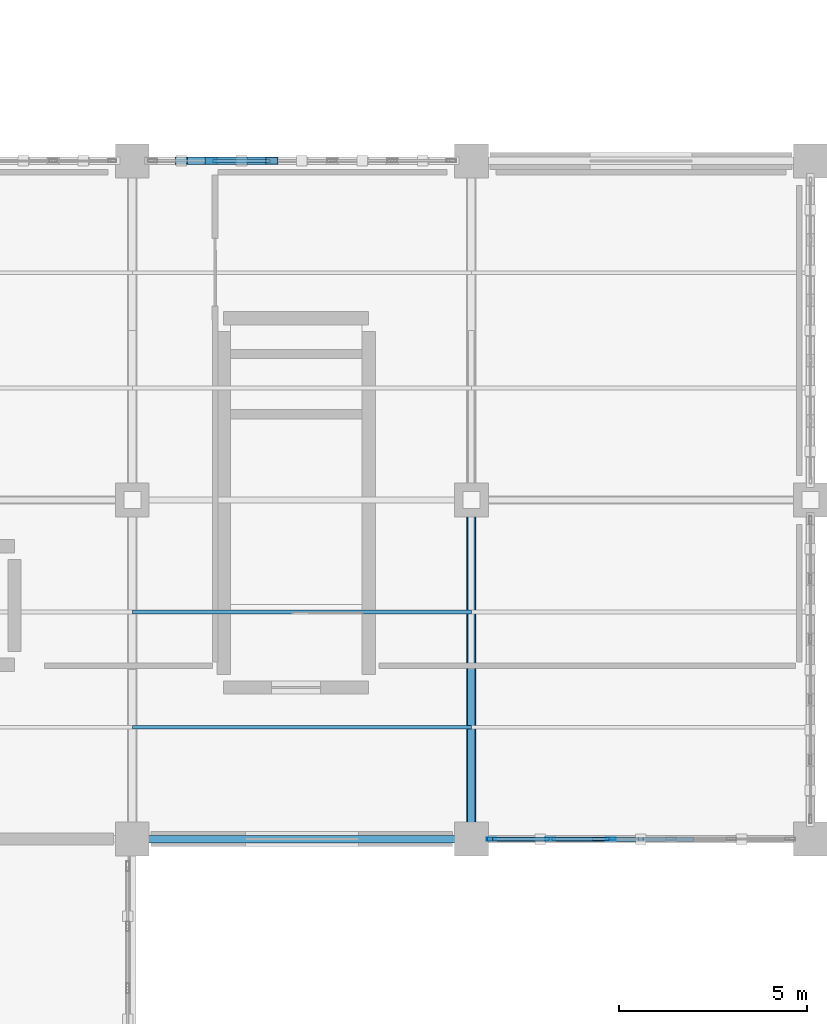
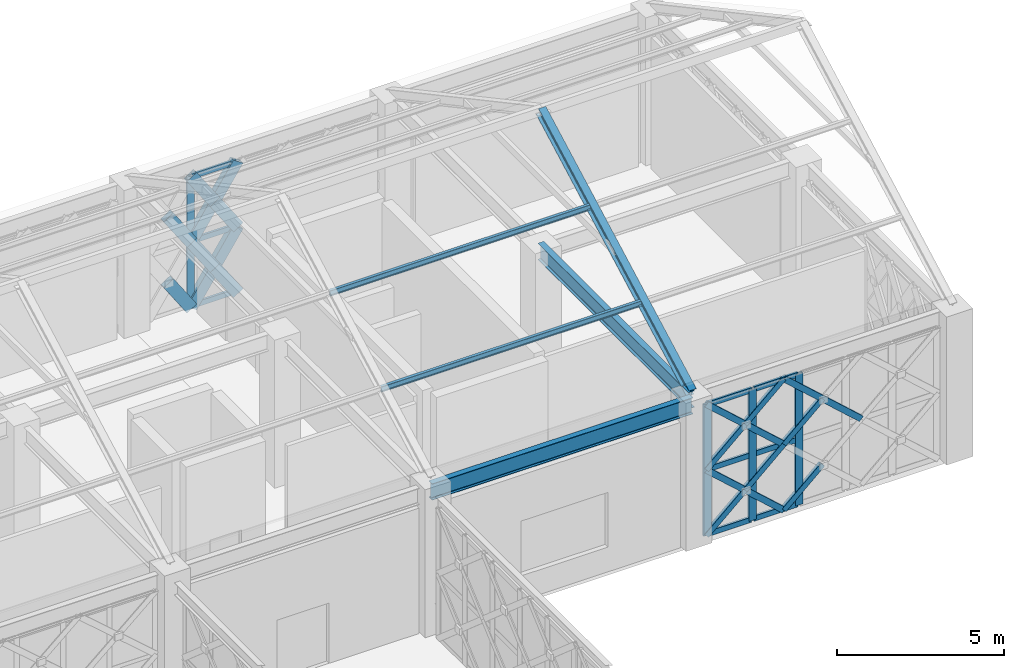
# One storey, part 62 of 166: 33 members, 2 beams, 2 elements without a shape of their own.
"""IFC4 building model written with IfcOpenShell, lengths in metres."""

from ifc_helpers import new_model, si_unit, direction, frame, origin, origin_2d, place, context, subcontext, project, spatial, hollow_rectangle, i_section, extrude, material, material_profile, profile_set, type_object, element, aggregate, save


model = new_model("IFC4")

# Units and contexts
model_context = context("Model", 3, precision=1e-05, world=origin(), true_north=direction((0.0, 1.0)))
body_context = subcontext(model_context, "Body", "Model", "MODEL_VIEW")
ifc_project = project(units=[si_unit("LENGTHUNIT", "METRE"), si_unit("AREAUNIT", "SQUARE_METRE"), si_unit("VOLUMEUNIT", "CUBIC_METRE"), si_unit("PLANEANGLEUNIT", "RADIAN"), si_unit("MASSUNIT", "GRAM", prefix="KILO")], contexts=[model_context])

# Site, building, storey
site_placement = place(None, origin())
site = spatial("IfcSite", under=ifc_project, at=site_placement, CompositionType="ELEMENT")
building_placement = place(site_placement, origin())
building = spatial("IfcBuilding", under=site, at=building_placement, Name="Haizhuo Lancet Aquarium", CompositionType="ELEMENT")
storey_placement = place(building_placement, frame((0.0, 0.0, 5.39990234375)))
storey = spatial("IfcBuildingStorey", under=building, at=storey_placement, Name="L01", CompositionType="ELEMENT", Elevation=5.39990234375)

# Beams
ifc_material_1 = material(Name="Steel S355", Category="steel")
ifc_material_profile_1 = material_profile(ifc_material_1, i_section(OverallWidth=0.199951171875, OverallDepth=0.60009765625, WebThickness=0.010986328125, FlangeThickness=0.01708984375, FilletRadius=0.02197265625, at=origin_2d()), Name="HN 600x200x11x17")
ifc_profile_set_1 = profile_set([ifc_material_profile_1], Name="Steel S355")
beam_type = type_object("IfcBeamType", Name="BM-ST-HN600", PredefinedType="BEAM", material=ifc_profile_set_1)
for number, where, z_axis, x_axis, name in (
    (1, (-54.0, 9.0, 4.9501953125), (1.0, 0.0, 0.0), (0.0, 1.0, 0.0), "L01 V2 primary girder BM-L01-V2-015"),
    (2, (-45.0, 9.0, 5.10009765625), (0.0, 1.0, 0.0), (-1.0, 0.0, 0.0), "L01 V2 primary girder BM-L01-V2-018"),
):
    element("IfcBeam", number, at=place(storey_placement, frame(where, z_axis=z_axis, x_axis=x_axis)), inside=storey, type_object=beam_type, Name=name, PredefinedType="BEAM", context=body_context, shape_type="SweptSolid", body=[
        extrude(i_section(OverallWidth=0.199951171875, OverallDepth=0.60009765625, WebThickness=0.010986328125, FlangeThickness=0.01708984375, FilletRadius=0.02197265625, at=origin_2d()), origin(), (0.0, 0.0, 1.0), 9.0),
    ])

# Curtain wall, member
ifc_material_2 = material(Name="Aluminium 6063-T6", Category="aluminium")
curtain_wall_type_1 = type_object("IfcCurtainWallType", Name="CWD-8010x4800", PredefinedType="NOTDEFINED", material=ifc_material_2)
curtain_wall_1_placement = place(storey_placement, origin())
curtain_wall_1 = element("IfcCurtainWall", 3, at=curtain_wall_1_placement, inside=storey, type_object=curtain_wall_type_1, Name="L01 curtain wall CW-V2-L01-024", PredefinedType="NOTDEFINED")
ifc_material_profile_2 = material_profile(ifc_material_2, hollow_rectangle(XDim=0.080078125, YDim=0.260009765625, WallThickness=0.0048828125, at=origin_2d()), Name="ALU-M 80x260x5")
ifc_profile_set_2 = profile_set([ifc_material_profile_2], Name="Aluminium 6063-T6")
member_type_1 = type_object("IfcMemberType", Name="CW-MUL-3", PredefinedType="MULLION", material=ifc_profile_set_2)
member_1_placement = place(storey_placement, frame((-51.903076171875, 27.0, 0.0), z_axis=(0.0, 0.0, 1.0), x_axis=(0.0, 1.0, 0.0)))
member_1 = element("IfcMember", 4, at=member_1_placement, type_object=member_type_1, Name="CWD-80x48 mullion 2", PredefinedType="MULLION", context=body_context, shape_type="SweptSolid", body=[
    extrude(hollow_rectangle(XDim=0.080078125, YDim=0.260009765625, WallThickness=0.0048828125, at=origin_2d()), origin(), (0.0, 0.0, 1.0), 4.800048828125),
])

# Curtain wall, members
curtain_wall_type_2 = type_object("IfcCurtainWallType", Name="CWO-8010x4800", PredefinedType="NOTDEFINED", material=ifc_material_2)
curtain_wall_2_placement = place(storey_placement, origin())
curtain_wall_2 = element("IfcCurtainWall", 5, at=curtain_wall_2_placement, inside=storey, type_object=curtain_wall_type_2, Name="L01 curtain wall CW-V2-L01-027", PredefinedType="NOTDEFINED")
member_2_placement = place(storey_placement, frame((-41.301025390625, 9.0, 0.0), z_axis=(0.0, 0.0, 1.0), x_axis=(0.0, -1.0, 0.0)))
member_2 = element("IfcMember", 6, at=member_2_placement, type_object=member_type_1, Name="CWO-80x48 mullion 4", PredefinedType="MULLION", context=body_context, shape_type="SweptSolid", body=[
    extrude(hollow_rectangle(XDim=0.080078125, YDim=0.260009765625, WallThickness=0.0048828125, at=origin_2d()), origin(), (0.0, 0.0, 1.0), 4.800048828125),
])
member_3_placement = place(storey_placement, frame((-42.903076171875, 9.0, 0.0), z_axis=(0.0, 0.0, 1.0), x_axis=(0.0, -1.0, 0.0)))
member_3 = element("IfcMember", 7, at=member_3_placement, type_object=member_type_1, Name="CWO-80x48 mullion 5", PredefinedType="MULLION", context=body_context, shape_type="SweptSolid", body=[
    extrude(hollow_rectangle(XDim=0.080078125, YDim=0.260009765625, WallThickness=0.0048828125, at=origin_2d()), origin(), (0.0, 0.0, 1.0), 4.800048828125),
])
member_4_placement = place(storey_placement, frame((-44.465087890625, 9.0, 0.0), z_axis=(0.0, 0.0, 1.0), x_axis=(0.0, -1.0, 0.0)))
member_4 = element("IfcMember", 8, at=member_4_placement, type_object=member_type_1, Name="CWO-80x48 mullion 6", PredefinedType="MULLION", context=body_context, shape_type="SweptSolid", body=[
    extrude(hollow_rectangle(XDim=0.080078125, YDim=0.260009765625, WallThickness=0.0048828125, at=origin_2d()), origin(), (0.0, 0.0, 1.0), 4.800048828125),
])

# Member
ifc_material_profile_3 = material_profile(ifc_material_2, hollow_rectangle(XDim=0.080078125, YDim=0.18994140625, WallThickness=0.0048828125, at=origin_2d()), Name="ALU-T 80x190x5")
ifc_profile_set_3 = profile_set([ifc_material_profile_3], Name="Aluminium 6063-T6")
member_type_2 = type_object("IfcMemberType", Name="CW-TRN-3", PredefinedType="NOTDEFINED", material=ifc_profile_set_3)
member_5_placement = place(storey_placement, frame((-51.863037109375, 27.0, 0.0400390625), z_axis=(1.0, 0.0, 0.0), x_axis=(0.0, 1.0, 0.0)))
member_5 = element("IfcMember", 9, at=member_5_placement, type_object=member_type_2, Name="CWD-80x48 transom 2.1", ObjectType="TRANSOM", PredefinedType="USERDEFINED", context=body_context, shape_type="SweptSolid", body=[
    extrude(hollow_rectangle(XDim=0.080078125, YDim=0.18994140625, WallThickness=0.0048828125, at=origin_2d()), origin(), (0.0, 0.0, 1.0), 1.52197265625),
])

member_6_placement = place(storey_placement, frame((-51.863037109375, 27.0, 2.400146484375), z_axis=(1.0, 0.0, 0.0), x_axis=(0.0, 1.0, 0.0)))
member_6 = element("IfcMember", 10, at=member_6_placement, type_object=member_type_2, Name="CWD-80x48 transom 2.2", ObjectType="TRANSOM", PredefinedType="USERDEFINED", context=body_context, shape_type="SweptSolid", body=[
    extrude(hollow_rectangle(XDim=0.080078125, YDim=0.18994140625, WallThickness=0.0048828125, at=origin_2d()), origin(), (0.0, 0.0, 1.0), 1.52197265625),
])

member_7_placement = place(storey_placement, frame((-51.863037109375, 27.0, 4.760009765625), z_axis=(1.0, 0.0, 0.0), x_axis=(0.0, 1.0, 0.0)))
member_7 = element("IfcMember", 11, at=member_7_placement, type_object=member_type_2, Name="CWD-80x48 transom 2.3", ObjectType="TRANSOM", PredefinedType="USERDEFINED", context=body_context, shape_type="SweptSolid", body=[
    extrude(hollow_rectangle(XDim=0.080078125, YDim=0.18994140625, WallThickness=0.0048828125, at=origin_2d()), origin(), (0.0, 0.0, 1.0), 1.52197265625),
])

aggregate(curtain_wall_1, [member_1, member_5, member_6, member_7])

member_8_placement = place(storey_placement, frame((-41.341064453125, 9.0, 0.0400390625), z_axis=(-1.0, 0.0, 0.0), x_axis=(0.0, -1.0, 0.0)))
member_8 = element("IfcMember", 12, at=member_8_placement, type_object=member_type_2, Name="CWO-80x48 transom 4.1", ObjectType="TRANSOM", PredefinedType="USERDEFINED", context=body_context, shape_type="SweptSolid", body=[
    extrude(hollow_rectangle(XDim=0.080078125, YDim=0.18994140625, WallThickness=0.0048828125, at=origin_2d()), origin(), (0.0, 0.0, 1.0), 1.52197265625),
])

member_9_placement = place(storey_placement, frame((-41.341064453125, 9.0, 2.400146484375), z_axis=(-1.0, 0.0, 0.0), x_axis=(0.0, -1.0, 0.0)))
member_9 = element("IfcMember", 13, at=member_9_placement, type_object=member_type_2, Name="CWO-80x48 transom 4.2", ObjectType="TRANSOM", PredefinedType="USERDEFINED", context=body_context, shape_type="SweptSolid", body=[
    extrude(hollow_rectangle(XDim=0.080078125, YDim=0.18994140625, WallThickness=0.0048828125, at=origin_2d()), origin(), (0.0, 0.0, 1.0), 1.52197265625),
])

member_10_placement = place(storey_placement, frame((-41.341064453125, 9.0, 4.760009765625), z_axis=(-1.0, 0.0, 0.0), x_axis=(0.0, -1.0, 0.0)))
member_10 = element("IfcMember", 14, at=member_10_placement, type_object=member_type_2, Name="CWO-80x48 transom 4.3", ObjectType="TRANSOM", PredefinedType="USERDEFINED", context=body_context, shape_type="SweptSolid", body=[
    extrude(hollow_rectangle(XDim=0.080078125, YDim=0.18994140625, WallThickness=0.0048828125, at=origin_2d()), origin(), (0.0, 0.0, 1.0), 1.52197265625),
])

member_11_placement = place(storey_placement, frame((-42.943115234375, 9.0, 0.0400390625), z_axis=(-1.0, 0.0, 0.0), x_axis=(0.0, -1.0, 0.0)))
member_11 = element("IfcMember", 15, at=member_11_placement, type_object=member_type_2, Name="CWO-80x48 transom 5.1", ObjectType="TRANSOM", PredefinedType="USERDEFINED", context=body_context, shape_type="SweptSolid", body=[
    extrude(hollow_rectangle(XDim=0.080078125, YDim=0.18994140625, WallThickness=0.0048828125, at=origin_2d()), origin(), (0.0, 0.0, 1.0), 1.48193359375),
])

member_12_placement = place(storey_placement, frame((-42.943115234375, 9.0, 2.400146484375), z_axis=(-1.0, 0.0, 0.0), x_axis=(0.0, -1.0, 0.0)))
member_12 = element("IfcMember", 16, at=member_12_placement, type_object=member_type_2, Name="CWO-80x48 transom 5.2", ObjectType="TRANSOM", PredefinedType="USERDEFINED", context=body_context, shape_type="SweptSolid", body=[
    extrude(hollow_rectangle(XDim=0.080078125, YDim=0.18994140625, WallThickness=0.0048828125, at=origin_2d()), origin(), (0.0, 0.0, 1.0), 1.48193359375),
])

member_13_placement = place(storey_placement, frame((-42.943115234375, 9.0, 4.760009765625), z_axis=(-1.0, 0.0, 0.0), x_axis=(0.0, -1.0, 0.0)))
member_13 = element("IfcMember", 17, at=member_13_placement, type_object=member_type_2, Name="CWO-80x48 transom 5.3", ObjectType="TRANSOM", PredefinedType="USERDEFINED", context=body_context, shape_type="SweptSolid", body=[
    extrude(hollow_rectangle(XDim=0.080078125, YDim=0.18994140625, WallThickness=0.0048828125, at=origin_2d()), origin(), (0.0, 0.0, 1.0), 1.48193359375),
])

aggregate(curtain_wall_2, [member_2, member_3, member_4, member_8, member_9, member_10, member_11, member_12, member_13])

# Members
ifc_material_profile_4 = material_profile(ifc_material_1, hollow_rectangle(XDim=0.1201171875, YDim=0.199951171875, WallThickness=0.008056640625, at=origin_2d()), Name="RHS 120x200x8")
ifc_profile_set_4 = profile_set([ifc_material_profile_4], Name="Steel S355")
member_type_3 = type_object("IfcMemberType", Name="MEM-LB-RHS120x200", PredefinedType="BRACE", material=ifc_profile_set_4)
member_14_placement = place(storey_placement, frame((-41.8349609375, 9.0, 0.0), z_axis=(0.743645688872, 0.0, 0.668573922182), x_axis=(0.0, 1.0, 0.0)))
element("IfcMember", 18, at=member_14_placement, inside=storey, type_object=member_type_3, Name="Gothic lancet split diagonal brace CW-V2-L01-027 3B1", PredefinedType="BRACE", context=body_context, shape_type="SweptSolid", body=[
    extrude(hollow_rectangle(XDim=0.1201171875, YDim=0.199951171875, WallThickness=0.008056640625, at=origin_2d()), origin(), (0.0, 0.0, 1.0), 1.795166015625),
])
member_15_placement = place(storey_placement, frame((-39.1650390625, 9.0, 2.400146484375), z_axis=(-0.743713307774, 0.0, 0.668498702946), x_axis=(0.0, -1.0, 0.0)))
element("IfcMember", 19, at=member_15_placement, inside=storey, type_object=member_type_3, Name="Gothic lancet continuous diagonal brace CW-V2-L01-027 4A", PredefinedType="BRACE", context=body_context, shape_type="SweptSolid", body=[
    extrude(hollow_rectangle(XDim=0.1201171875, YDim=0.199951171875, WallThickness=0.008056640625, at=origin_2d()), origin(), (0.0, 0.0, 1.0), 3.590087890625),
])
member_16_placement = place(storey_placement, frame((-41.8349609375, 9.0, 2.400146484375), z_axis=(0.743713307774, 0.0, 0.668498702946), x_axis=(0.0, 1.0, 0.0)))
element("IfcMember", 20, at=member_16_placement, inside=storey, type_object=member_type_3, Name="Gothic lancet split diagonal brace CW-V2-L01-027 4B1", PredefinedType="BRACE", context=body_context, shape_type="SweptSolid", body=[
    extrude(hollow_rectangle(XDim=0.1201171875, YDim=0.199951171875, WallThickness=0.008056640625, at=origin_2d()), origin(), (0.0, 0.0, 1.0), 1.794921875),
])
member_17_placement = place(storey_placement, frame((-41.8349609375, 9.0, 0.0), z_axis=(-0.743679497737, 0.0, 0.668536315129), x_axis=(0.0, -1.0, 0.0)))
element("IfcMember", 21, at=member_17_placement, inside=storey, type_object=member_type_3, Name="Gothic lancet continuous diagonal brace CW-V2-L01-027 5A", PredefinedType="BRACE", context=body_context, shape_type="SweptSolid", body=[
    extrude(hollow_rectangle(XDim=0.1201171875, YDim=0.199951171875, WallThickness=0.008056640625, at=origin_2d()), origin(), (0.0, 0.0, 1.0), 3.590087890625),
])
member_18_placement = place(storey_placement, frame((-44.5048828125, 9.0, 0.0), z_axis=(0.743645688872, 0.0, 0.668573922182), x_axis=(0.0, 1.0, 0.0)))
element("IfcMember", 22, at=member_18_placement, inside=storey, type_object=member_type_3, Name="Gothic lancet split diagonal brace CW-V2-L01-027 5B1", PredefinedType="BRACE", context=body_context, shape_type="SweptSolid", body=[
    extrude(hollow_rectangle(XDim=0.1201171875, YDim=0.199951171875, WallThickness=0.008056640625, at=origin_2d()), origin(), (0.0, 0.0, 1.0), 1.795166015625),
])
member_19_placement = place(storey_placement, frame((-43.169921875, 9.0, 1.2001953125), z_axis=(0.743713307774, 0.0, 0.668498702946), x_axis=(0.0, 1.0, 0.0)))
element("IfcMember", 23, at=member_19_placement, inside=storey, type_object=member_type_3, Name="Gothic lancet split diagonal brace CW-V2-L01-027 5B2", PredefinedType="BRACE", context=body_context, shape_type="SweptSolid", body=[
    extrude(hollow_rectangle(XDim=0.1201171875, YDim=0.199951171875, WallThickness=0.008056640625, at=origin_2d()), origin(), (0.0, 0.0, 1.0), 1.794921875),
])
member_20_placement = place(storey_placement, frame((-41.8349609375, 9.0, 2.400146484375), z_axis=(-0.743713307774, 0.0, 0.668498702946), x_axis=(0.0, -1.0, 0.0)))
element("IfcMember", 24, at=member_20_placement, inside=storey, type_object=member_type_3, Name="Gothic lancet continuous diagonal brace CW-V2-L01-027 6A", PredefinedType="BRACE", context=body_context, shape_type="SweptSolid", body=[
    extrude(hollow_rectangle(XDim=0.1201171875, YDim=0.199951171875, WallThickness=0.008056640625, at=origin_2d()), origin(), (0.0, 0.0, 1.0), 3.590087890625),
])
for number, where, z_axis, x_axis, name in (
    (25, (-44.5048828125, 9.0, 2.400146484375), (0.743713307774, 0.0, 0.668498702946), (0.0, 1.0, 0.0), "Gothic lancet split diagonal brace CW-V2-L01-027 6B1"),
    (26, (-43.169921875, 9.0, 3.60009765625), (0.743713307774, 0.0, 0.668498702946), (0.0, 1.0, 0.0), "Gothic lancet split diagonal brace CW-V2-L01-027 6B2"),
):
    element("IfcMember", number, at=place(storey_placement, frame(where, z_axis=z_axis, x_axis=x_axis)), inside=storey, type_object=member_type_3, Name=name, PredefinedType="BRACE", context=body_context, shape_type="SweptSolid", body=[
        extrude(hollow_rectangle(XDim=0.1201171875, YDim=0.199951171875, WallThickness=0.008056640625, at=origin_2d()), origin(), (0.0, 0.0, 1.0), 1.794921875),
    ])
ifc_material_profile_5 = material_profile(ifc_material_1, hollow_rectangle(XDim=0.199951171875, YDim=0.39990234375, WallThickness=0.011962890625, at=origin_2d()), Name="RHS 200x400x12")
ifc_profile_set_5 = profile_set([ifc_material_profile_5], Name="Steel S355")
member_type_4 = type_object("IfcMemberType", Name="MEM-LB-RHS200x400", PredefinedType="BRACE", material=ifc_profile_set_5)
member_21_placement = place(storey_placement, frame((-51.903076171875, 27.0, 0.0), z_axis=(-0.555129617962, 0.0, 0.831763853063), x_axis=(0.0, -1.0, 0.0)))
element("IfcMember", 27, at=member_21_placement, inside=storey, type_object=member_type_4, Name="Gothic lancet split diagonal brace CW-V2-L01-024 1B1", PredefinedType="BRACE", context=body_context, shape_type="SweptSolid", body=[
    extrude(hollow_rectangle(XDim=0.199951171875, YDim=0.39990234375, WallThickness=0.011962890625, at=origin_2d()), origin(), (0.0, 0.0, 1.0), 1.44287109375),
])
member_22_placement = place(storey_placement, frame((-51.903076171875, 27.0, 2.400146484375), z_axis=(-0.555207750173, 0.0, 0.831711701341), x_axis=(0.0, -1.0, 0.0)))
element("IfcMember", 28, at=member_22_placement, inside=storey, type_object=member_type_4, Name="Gothic lancet split diagonal brace CW-V2-L01-024 2B1", PredefinedType="BRACE", context=body_context, shape_type="SweptSolid", body=[
    extrude(hollow_rectangle(XDim=0.199951171875, YDim=0.39990234375, WallThickness=0.011962890625, at=origin_2d()), origin(), (0.0, 0.0, 1.0), 1.442626953125),
])
member_23_placement = place(storey_placement, frame((-51.903076171875, 27.0, 0.0), z_axis=(0.555168681931, 0.0, 0.831737779954), x_axis=(0.0, 1.0, 0.0)))
element("IfcMember", 29, at=member_23_placement, inside=storey, type_object=member_type_4, Name="Gothic lancet continuous diagonal brace CW-V2-L01-024 3A", PredefinedType="BRACE", context=body_context, shape_type="SweptSolid", body=[
    extrude(hollow_rectangle(XDim=0.199951171875, YDim=0.39990234375, WallThickness=0.011962890625, at=origin_2d()), origin(), (0.0, 0.0, 1.0), 2.8857421875),
])
member_24_placement = place(storey_placement, frame((-50.301025390625, 27.0, 0.0), z_axis=(-0.555129617962, 0.0, 0.831763853063), x_axis=(0.0, -1.0, 0.0)))
element("IfcMember", 30, at=member_24_placement, inside=storey, type_object=member_type_4, Name="Gothic lancet split diagonal brace CW-V2-L01-024 3B1", PredefinedType="BRACE", context=body_context, shape_type="SweptSolid", body=[
    extrude(hollow_rectangle(XDim=0.199951171875, YDim=0.39990234375, WallThickness=0.011962890625, at=origin_2d()), origin(), (0.0, 0.0, 1.0), 1.44287109375),
])
member_25_placement = place(storey_placement, frame((-51.10205078125, 27.0, 1.2001953125), z_axis=(-0.555207750173, 0.0, 0.831711701341), x_axis=(0.0, -1.0, 0.0)))
element("IfcMember", 31, at=member_25_placement, inside=storey, type_object=member_type_4, Name="Gothic lancet split diagonal brace CW-V2-L01-024 3B2", PredefinedType="BRACE", context=body_context, shape_type="SweptSolid", body=[
    extrude(hollow_rectangle(XDim=0.199951171875, YDim=0.39990234375, WallThickness=0.011962890625, at=origin_2d()), origin(), (0.0, 0.0, 1.0), 1.442626953125),
])
member_26_placement = place(storey_placement, frame((-51.903076171875, 27.0, 2.400146484375), z_axis=(0.555207750173, 0.0, 0.831711701341), x_axis=(0.0, 1.0, 0.0)))
element("IfcMember", 32, at=member_26_placement, inside=storey, type_object=member_type_4, Name="Gothic lancet continuous diagonal brace CW-V2-L01-024 4A", PredefinedType="BRACE", context=body_context, shape_type="SweptSolid", body=[
    extrude(hollow_rectangle(XDim=0.199951171875, YDim=0.39990234375, WallThickness=0.011962890625, at=origin_2d()), origin(), (0.0, 0.0, 1.0), 2.885498046875),
])
for number, where, z_axis, x_axis, name in (
    (33, (-50.301025390625, 27.0, 2.400146484375), (-0.555207750173, 0.0, 0.831711701341), (0.0, -1.0, 0.0), "Gothic lancet split diagonal brace CW-V2-L01-024 4B1"),
    (34, (-51.10205078125, 27.0, 3.60009765625), (-0.555207750173, 0.0, 0.831711701341), (0.0, -1.0, 0.0), "Gothic lancet split diagonal brace CW-V2-L01-024 4B2"),
):
    element("IfcMember", number, at=place(storey_placement, frame(where, z_axis=z_axis, x_axis=x_axis)), inside=storey, type_object=member_type_4, Name=name, PredefinedType="BRACE", context=body_context, shape_type="SweptSolid", body=[
        extrude(hollow_rectangle(XDim=0.199951171875, YDim=0.39990234375, WallThickness=0.011962890625, at=origin_2d()), origin(), (0.0, 0.0, 1.0), 1.442626953125),
    ])
ifc_material_profile_6 = material_profile(ifc_material_1, i_section(OverallWidth=0.10009765625, OverallDepth=0.199951171875, WebThickness=0.005615234375, FlangeThickness=0.008056640625, FilletRadius=0.008056640625, at=origin_2d()), Name="HN 200x100x5.5x8")
ifc_profile_set_6 = profile_set([ifc_material_profile_6], Name="Steel S355")
member_type_5 = type_object("IfcMemberType", Name="MEM-PR-HN200", PredefinedType="PURLIN", material=ifc_profile_set_6)
for number, where, z_axis, x_axis, name in (
    (35, (-54.0, 11.969970703125, 6.859130859375), (1.0, 0.0, 0.0), (0.0, 1.0, 0.0), "V2 south roof purlin 3"),
    (36, (-54.0, 15.030029296875, 8.507080078125), (1.0, 0.0, 0.0), (0.0, 1.0, 0.0), "V2 south roof purlin 3"),
):
    element("IfcMember", number, at=place(storey_placement, frame(where, z_axis=z_axis, x_axis=x_axis)), inside=storey, type_object=member_type_5, Name=name, PredefinedType="PURLIN", context=body_context, shape_type="SweptSolid", body=[
        extrude(i_section(OverallWidth=0.10009765625, OverallDepth=0.199951171875, WebThickness=0.005615234375, FlangeThickness=0.008056640625, FilletRadius=0.008056640625, at=origin_2d()), origin(), (0.0, 0.0, 1.0), 9.0),
    ])
ifc_material_profile_7 = material_profile(ifc_material_1, i_section(OverallWidth=0.25, OverallDepth=0.340087890625, WebThickness=0.009033203125, FlangeThickness=0.013916015625, FilletRadius=0.01806640625, at=origin_2d()), Name="HM 340x250x9x14")
ifc_profile_set_7 = profile_set([ifc_material_profile_7], Name="Steel S355")
member_type_6 = type_object("IfcMemberType", Name="MEM-RF-HM340", PredefinedType="RAFTER", material=ifc_profile_set_7)
member_27_placement = place(storey_placement, frame((-45.0, 9.0, 5.3701171875), z_axis=(0.0, 0.880479536064, 0.474084155581), x_axis=(-1.0, 0.0, 0.0)))
element("IfcMember", 37, at=member_27_placement, inside=storey, type_object=member_type_6, Name="V2 Gothic pitched roof south rafter 4", PredefinedType="RAFTER", context=body_context, shape_type="SweptSolid", body=[
    extrude(i_section(OverallWidth=0.25, OverallDepth=0.340087890625, WebThickness=0.009033203125, FlangeThickness=0.013916015625, FilletRadius=0.01806640625, at=origin_2d()), origin(), (0.0, 0.0, 1.0), 10.2216796875),
])

save(model, "model.ifc")
